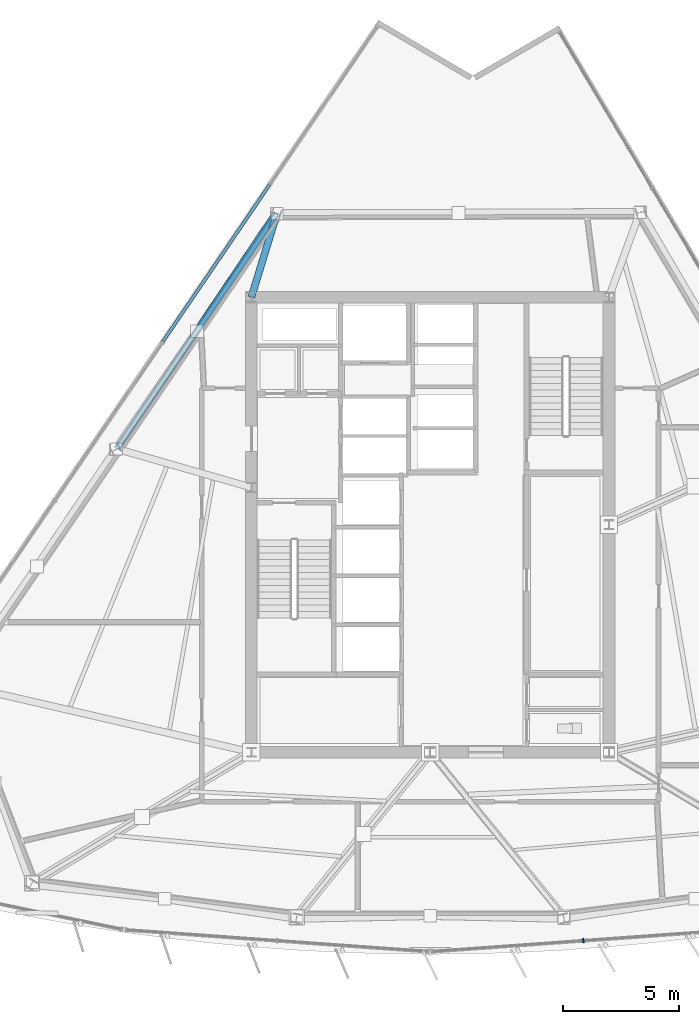
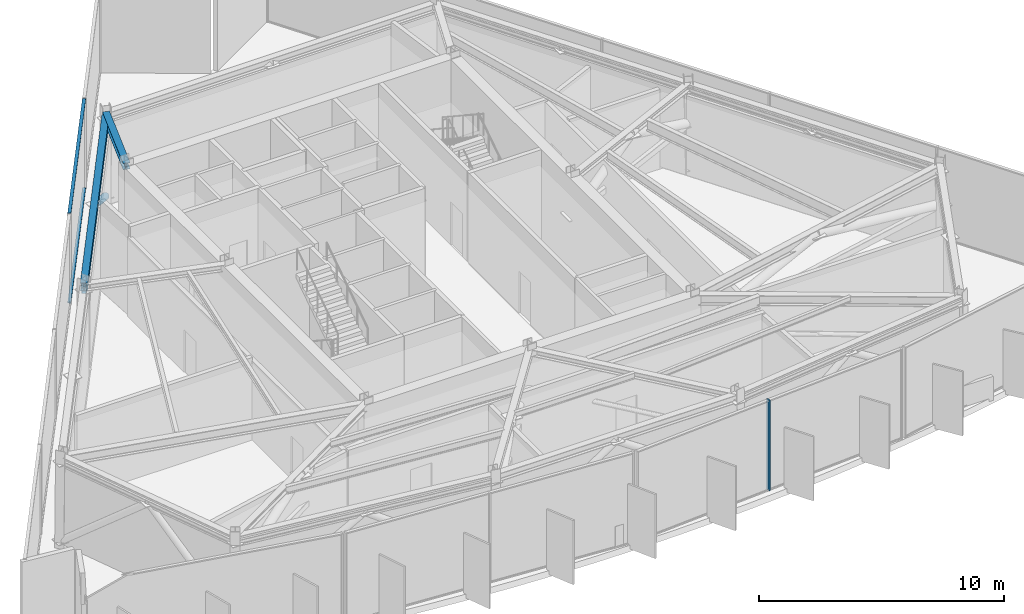
# One storey, part 4 of 14: 5 members, 2 beams, 2 elements without a shape of their own.
"""IFC4 building model written with IfcOpenShell, lengths in metres."""

from ifc_helpers import new_model, si_unit, direction, frame, origin, origin_2d, place, context, subcontext, project, spatial, rectangle, hollow_rectangle, hollow_circle, i_section, extrude, material, material_profile, profile_set, type_object, element, aggregate, save


model = new_model("IFC4")

# Units and contexts
model_context = context("Model", 3, precision=1e-05, world=origin(), true_north=direction((0.0, 1.0)))
body_context = subcontext(model_context, "Body", "Model", "MODEL_VIEW")
ifc_project = project(units=[si_unit("LENGTHUNIT", "METRE"), si_unit("AREAUNIT", "SQUARE_METRE"), si_unit("VOLUMEUNIT", "CUBIC_METRE"), si_unit("PLANEANGLEUNIT", "RADIAN"), si_unit("MASSUNIT", "GRAM", prefix="KILO")], contexts=[model_context])

# Site, building, storey
site_placement = place(None, origin())
site = spatial("IfcSite", under=ifc_project, at=site_placement, CompositionType="ELEMENT")
building_placement = place(site_placement, origin())
building = spatial("IfcBuilding", under=site, at=building_placement, Name="Savorim Split Tower", CompositionType="ELEMENT")
storey_placement = place(building_placement, frame((0.0, 0.0, 185.39990234375)))
storey = spatial("IfcBuildingStorey", under=building, at=storey_placement, Name="L49", CompositionType="ELEMENT", Elevation=185.39990234375)

# Beams
ifc_material_1 = material(Name="Steel S355", Category="steel")
ifc_material_profile_1 = material_profile(ifc_material_1, i_section(OverallWidth=0.300048828125, OverallDepth=0.320068359375, WebThickness=0.011474609375, FlangeThickness=0.0205078125, FilletRadius=0.027099609375, at=origin_2d()), Name="HEB 320")
ifc_profile_set_1 = profile_set([ifc_material_profile_1], Name="Steel S355")
beam_type_1 = type_object("IfcBeamType", Name="BM-PRI-HEB320", PredefinedType="BEAM", material=ifc_profile_set_1)
beam_1_placement = place(storey_placement, frame((-6.59765625, 13.798583984375, 4.340087890625), z_axis=(-0.292877672178, -0.956149919803, 0.0), x_axis=(0.956149919803, -0.292877672178, 0.0)))
element("IfcBeam", 1, at=beam_1_placement, inside=storey, type_object=beam_type_1, Name="L49 Primary Floor Girder RG-08", PredefinedType="BEAM", context=body_context, shape_type="SweptSolid", body=[
    extrude(i_section(OverallWidth=0.300048828125, OverallDepth=0.320068359375, WebThickness=0.011474609375, FlangeThickness=0.0205078125, FilletRadius=0.027099609375, at=origin_2d()), origin(), (0.0, 0.0, 1.0), 3.763671875),
])
ifc_material_profile_2 = material_profile(ifc_material_1, i_section(OverallWidth=0.300048828125, OverallDepth=0.389892578125, WebThickness=0.010986328125, FlangeThickness=0.01904296875, FilletRadius=0.027099609375, at=origin_2d()), Name="HEA 400")
ifc_profile_set_2 = profile_set([ifc_material_profile_2], Name="Steel S355")
beam_type_2 = type_object("IfcBeamType", Name="BM-SPN-HEA400", PredefinedType="SPANDREL", material=ifc_profile_set_2)
beam_2_placement = place(storey_placement, frame((-6.59765625, 13.798583984375, 4.30517578125), z_axis=(-0.562463117346, -0.826822376104, 0.0), x_axis=(0.826822376104, -0.562463117346, 0.0)))
element("IfcBeam", 2, at=beam_2_placement, inside=storey, type_object=beam_type_2, Name="L49 Perimeter Spandrel Beam 8", PredefinedType="SPANDREL", context=body_context, shape_type="SweptSolid", body=[
    extrude(i_section(OverallWidth=0.300048828125, OverallDepth=0.389892578125, WebThickness=0.010986328125, FlangeThickness=0.01904296875, FilletRadius=0.027099609375, at=origin_2d()), origin(), (0.0, 0.0, 1.0), 12.256103515625),
])

# Curtain wall, member
ifc_material_2 = material(Name="Dark Ceramic-Fritted Insulated Glass", Category="glass")
curtain_wall_type = type_object("IfcCurtainWallType", Name="CW-REFUGE-LVR", PredefinedType="NOTDEFINED", material=ifc_material_2)
curtain_wall_1_placement = place(storey_placement, origin())
curtain_wall_1 = element("IfcCurtainWall", 3, at=curtain_wall_1_placement, inside=storey, type_object=curtain_wall_type, Name="L49 Curtain Wall CW-L49-SF3", PredefinedType="NOTDEFINED")
ifc_material_3 = material(Name="Charcoal Anodised Aluminium", Category="aluminium")
ifc_material_profile_3 = material_profile(ifc_material_3, rectangle(XDim=0.179931640625, YDim=0.06494140625, at=origin_2d()), Name="ALU-M 180x65")
ifc_profile_set_3 = profile_set([ifc_material_profile_3], Name="Charcoal Anodised Aluminium")
member_type_1 = type_object("IfcMemberType", Name="CWM-180x65", PredefinedType="MULLION", material=ifc_profile_set_3)
member_1_placement = place(storey_placement, frame((6.591796875, -17.509033203125, 0.0), z_axis=(0.0, 0.0, 1.0), x_axis=(-0.071561883187, 0.997436161804, 0.0)))
member_1 = element("IfcMember", 4, at=member_1_placement, type_object=member_type_1, Name="CW-06 mullion 2", PredefinedType="MULLION", context=body_context, shape_type="SweptSolid", body=[
    extrude(rectangle(XDim=0.179931640625, YDim=0.06494140625, at=origin_2d()), origin(), (0.0, 0.0, 1.0), 4.5),
])
aggregate(curtain_wall_1, [member_1])

# Curtain wall, members
curtain_wall_2_placement = place(storey_placement, origin())
curtain_wall_2 = element("IfcCurtainWall", 5, at=curtain_wall_2_placement, inside=storey, type_object=curtain_wall_type, Name="L49 Curtain Wall CW-L49-WEST", PredefinedType="NOTDEFINED")
ifc_material_profile_4 = material_profile(ifc_material_3, rectangle(XDim=0.139892578125, YDim=0.054931640625, at=origin_2d()), Name="ALU-T 140x55")
ifc_profile_set_4 = profile_set([ifc_material_profile_4], Name="Charcoal Anodised Aluminium")
member_type_2 = type_object("IfcMemberType", Name="CWT-140x55", PredefinedType="USERDEFINED", material=ifc_profile_set_4)
member_2_placement = place(storey_placement, frame((-6.911376953125, 15.04345703125, 0.027587890625), z_axis=(-0.562461914477, -0.826823194379, 0.0), x_axis=(0.826823194379, -0.562461914477, 0.0)))
member_2 = element("IfcMember", 6, at=member_2_placement, type_object=member_type_2, Name="CW-06 transom 2.1", ObjectType="TRANSOM", PredefinedType="USERDEFINED", context=body_context, shape_type="SweptSolid", body=[
    extrude(rectangle(XDim=0.139892578125, YDim=0.054931640625, at=origin_2d()), origin(), (0.0, 0.0, 1.0), 8.1767578125),
])
member_3_placement = place(storey_placement, frame((-6.911376953125, 15.04345703125, 4.47265625), z_axis=(-0.562461914477, -0.826823194379, 0.0), x_axis=(0.826823194379, -0.562461914477, 0.0)))
member_3 = element("IfcMember", 7, at=member_3_placement, type_object=member_type_2, Name="CW-06 transom 2.2", ObjectType="TRANSOM", PredefinedType="USERDEFINED", context=body_context, shape_type="SweptSolid", body=[
    extrude(rectangle(XDim=0.139892578125, YDim=0.054931640625, at=origin_2d()), origin(), (0.0, 0.0, 1.0), 8.1767578125),
])
aggregate(curtain_wall_2, [member_2, member_3])

# Members
ifc_material_4 = material(Name="Steel S460", Category="steel")
ifc_material_profile_5 = material_profile(ifc_material_4, hollow_circle(Radius=0.161865234375, WallThickness=0.01611328125, at=origin_2d()), Name="CHS 323.9x16")
ifc_profile_set_5 = profile_set([ifc_material_profile_5], Name="Steel S460")
member_type_3 = type_object("IfcMemberType", Name="MBR-BLT-CHS324", PredefinedType="BRACE", material=ifc_profile_set_5)
member_4_placement = place(storey_placement, frame((-6.62744140625, 13.807373046875, 0.280029296875), z_axis=(-0.472675093279, -0.702089347969, 0.532586897757), x_axis=(0.829524827227, -0.558469838947, 0.0)))
element("IfcMember", 8, at=member_4_placement, inside=storey, type_object=member_type_3, Name="L49 Perimeter Belt Truss Brace 8A", PredefinedType="BRACE", context=body_context, shape_type="SweptSolid", body=[
    extrude(hollow_circle(Radius=0.161865234375, WallThickness=0.01611328125, at=origin_2d()), origin(), (0.0, 0.0, 1.0), 7.22900390625),
])
ifc_material_profile_6 = material_profile(ifc_material_1, hollow_rectangle(XDim=0.199951171875, YDim=0.300048828125, WallThickness=0.012451171875, InnerFilletRadius=0.012451171875, OuterFilletRadius=0.02490234375, at=origin_2d()), Name="RHS 300x200x12.5")
ifc_profile_set_6 = profile_set([ifc_material_profile_6], Name="Steel S355")
member_type_4 = type_object("IfcMemberType", Name="MBR-CHD-RHS300", PredefinedType="CHORD", material=ifc_profile_set_6)
member_5_placement = place(storey_placement, frame((-6.60205078125, 13.800048828125, 4.130126953125), z_axis=(-0.562463025208, -0.826822438783, 0.0), x_axis=(0.826822438783, -0.562463025208, 0.0)))
element("IfcMember", 9, at=member_5_placement, inside=storey, type_object=member_type_4, Name="L49 Perimeter Belt Truss Chord 8", PredefinedType="CHORD", context=body_context, shape_type="SweptSolid", body=[
    extrude(hollow_rectangle(XDim=0.199951171875, YDim=0.300048828125, WallThickness=0.012451171875, InnerFilletRadius=0.012451171875, OuterFilletRadius=0.02490234375, at=origin_2d()), origin(), (0.0, 0.0, 1.0), 12.263427734375),
])

save(model, "model.ifc")
